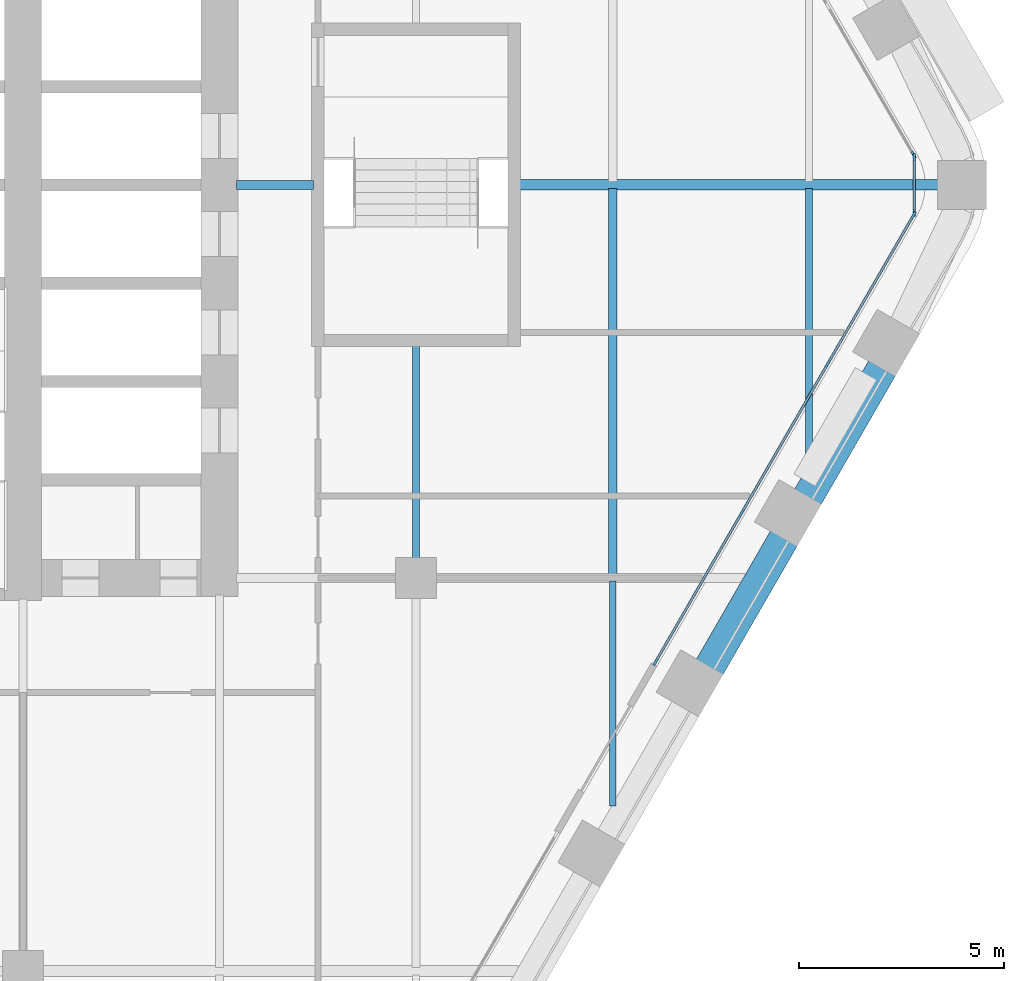
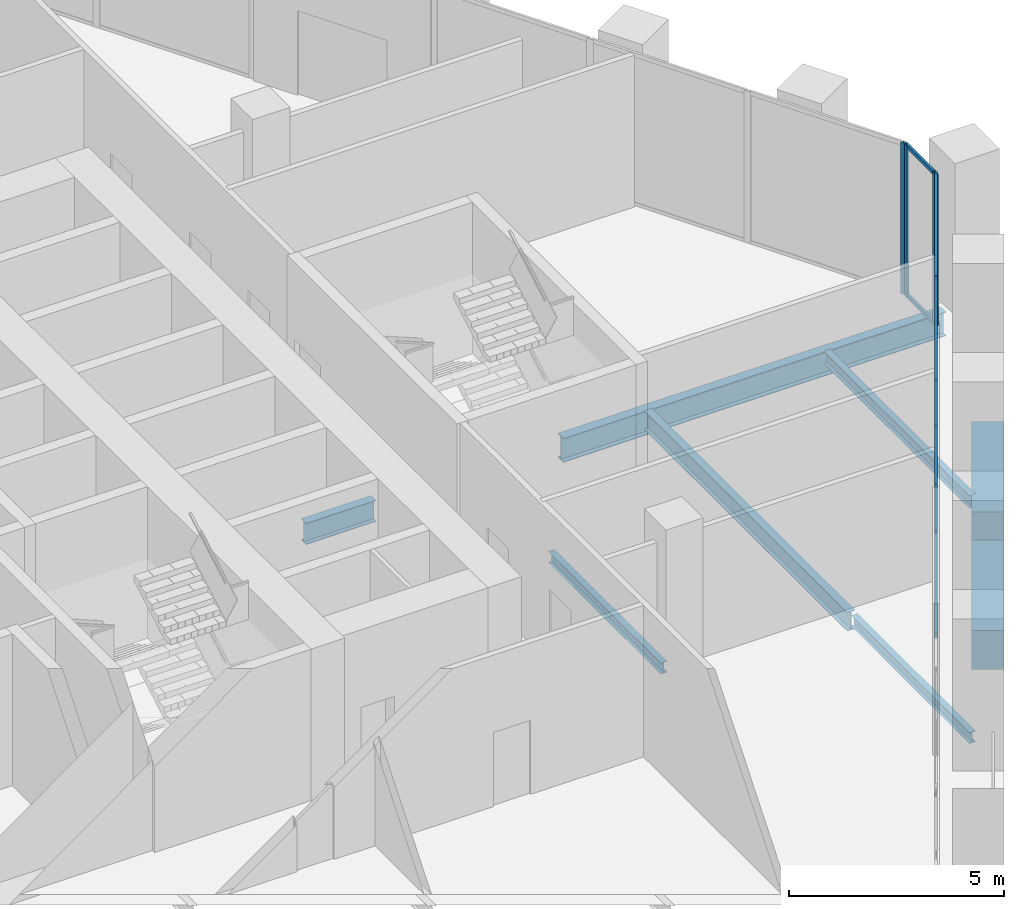
# One storey, part 5 of 22: 15 members, 8 beams, 3 elements without a shape of their own.
"""IFC4 building model written with IfcOpenShell, lengths in metres."""

import ifcopenshell
import ifcopenshell.guid

model = None  # the IFC model being written
_history = None  # IfcOwnerHistory: only IFC2X3 demands one
_inside = {}  # id of a spatial element -> (the spatial element, [elements in it])
_under = {}  # id of a project, library or spatial element -> (it, [spatial elements below it])
_declared = {}  # id of a project -> (the project, [libraries it declares])
_typed = {}  # id of a type object -> (the type object, [elements of that type])
_made_of = {}  # id of a material, layer set ... -> (it, [elements and type objects made of it])


def new_model(schema):
    """Start an empty IFC model of exactly this schema.

    Asked for "IFC4X3", IfcOpenShell would pick the latest addendum, in which some entities
    have other attributes; the version numbers below select the first issue.
    IFC2X3 requires an IfcOwnerHistory on every rooted entity: one is made here for all.
    """
    global model, _history
    if schema == "IFC4X3":
        model = ifcopenshell.file(schema_version=(4, 3, 0, 0))
    else:
        model = ifcopenshell.file(schema=schema)
    _inside.clear()
    _under.clear()
    _declared.clear()
    _typed.clear()
    _made_of.clear()
    _history = None
    if model.schema == "IFC2X3":
        org = make("IfcOrganization", Name="unknown")
        user = make(
            "IfcPersonAndOrganization",
            ThePerson=make("IfcPerson", FamilyName="unknown"),
            TheOrganization=org,
        )
        app = make(
            "IfcApplication",
            ApplicationDeveloper=org,
            Version="unknown",
            ApplicationFullName="unknown",
            ApplicationIdentifier="unknown",
        )
        _history = make(
            "IfcOwnerHistory",
            OwningUser=user,
            OwningApplication=app,
            ChangeAction="ADDED",
            CreationDate=0,
        )
    return model


def make(cls, **values):
    """One entity of the class cls with the attributes given. An attribute that is None is left unset."""
    return model.create_entity(
        cls, **{name: value for name, value in values.items() if value is not None}
    )


def rooted(cls, **values):
    """An entity with a GlobalId (a new one), such as an element, a storey or a relation."""
    return make(cls, GlobalId=ifcopenshell.guid.new(), OwnerHistory=_history, **values)


def si_unit(unit_type, name, prefix=None):
    """IfcSIUnit, for example si_unit("LENGTHUNIT", "METRE", prefix="MILLI")."""
    return make("IfcSIUnit", UnitType=unit_type, Prefix=prefix, Name=name)


def assignment(units):
    """IfcUnitAssignment: the units of a project."""
    return None if units is None else make("IfcUnitAssignment", Units=units)


def point(xyz):
    """IfcCartesianPoint."""
    return None if xyz is None else make("IfcCartesianPoint", Coordinates=xyz)


def direction(xyz):
    """IfcDirection."""
    return None if xyz is None else make("IfcDirection", DirectionRatios=xyz)


def frame(location, z_axis=None, x_axis=None):
    """IfcAxis2Placement3D, a coordinate frame: its origin and axes. An axis left out is left unset."""
    return make(
        "IfcAxis2Placement3D",
        Location=point(location),
        Axis=direction(z_axis),
        RefDirection=direction(x_axis),
    )


def frame_2d(location, x_axis=None):
    """IfcAxis2Placement2D, a coordinate frame in the plane: its origin and x axis."""
    return make(
        "IfcAxis2Placement2D", Location=point(location), RefDirection=direction(x_axis)
    )


def origin():
    """The frame at (0, 0, 0) with its axes left unset."""
    return frame((0.0, 0.0, 0.0))


def origin_2d():
    """The frame at (0, 0) in the plane with its x axis left unset."""
    return frame_2d((0.0, 0.0))


def place(relative_to, where):
    """IfcLocalPlacement: puts the frame where relative to a parent placement (None: the world)."""
    return make(
        "IfcLocalPlacement", PlacementRelTo=relative_to, RelativePlacement=where
    )


def context(
    kind, dimensions, precision=None, world=None, true_north=None, identifier=None
):
    """IfcGeometricRepresentationContext, for example the 3D "Model" context."""
    return make(
        "IfcGeometricRepresentationContext",
        ContextIdentifier=identifier,
        ContextType=kind,
        CoordinateSpaceDimension=dimensions,
        Precision=precision,
        WorldCoordinateSystem=world,
        TrueNorth=true_north,
    )


def subcontext(parent, identifier, kind, view, scale=None):
    """IfcGeometricRepresentationSubContext, for example "Body" below "Model"."""
    return make(
        "IfcGeometricRepresentationSubContext",
        ContextIdentifier=identifier,
        ContextType=kind,
        ParentContext=parent,
        TargetScale=scale,
        TargetView=view,
    )


def project(units=None, contexts=None):
    """IfcProject with its units and contexts."""
    return rooted(
        "IfcProject",
        Name="project",
        RepresentationContexts=contexts,
        UnitsInContext=assignment(units),
    )


def spatial(cls, under=None, at=None, **own):
    """A site, building, storey or space (cls), placed at a placement, below another one or the project."""
    s = rooted(cls, ObjectPlacement=at, **own)
    if under is not None:
        _under.setdefault(under.id(), (under, []))[1].append(s)
    return s


def profile(cls, at=None, kind="AREA", **sizes):
    """A parametric profile (cls). Its sizes go by their IFC names, for example OverallWidth=200.0."""
    return make(cls, ProfileType=kind, Position=at, **sizes)


def rectangle(**sizes):
    """IfcRectangleProfileDef."""
    return profile("IfcRectangleProfileDef", **sizes)


def i_section(**sizes):
    """IfcIShapeProfileDef."""
    return profile("IfcIShapeProfileDef", **sizes)


def extrude(swept, where, along, depth):
    """IfcExtrudedAreaSolid: the profile swept, set in the frame where, extruded along a direction by depth."""
    return make(
        "IfcExtrudedAreaSolid",
        SweptArea=swept,
        Position=where,
        ExtrudedDirection=direction(along),
        Depth=depth,
    )


def shape(context_of_items, identifier, shape_type, items):
    """IfcShapeRepresentation: the items that make up one representation, for example the "Body"."""
    return make(
        "IfcShapeRepresentation",
        ContextOfItems=context_of_items,
        RepresentationIdentifier=identifier,
        RepresentationType=shape_type,
        Items=items,
    )


def material(Name=None, Category=None):
    """IfcMaterial."""
    return make("IfcMaterial", Name=Name, Category=Category)


def material_profile(
    of_material, cross_section, Name=None, Category=None, Priority=None
):
    """IfcMaterialProfile: a cross section and its material."""
    return make(
        "IfcMaterialProfile",
        Name=Name,
        Material=of_material,
        Profile=cross_section,
        Priority=Priority,
        Category=Category,
    )


def profile_set(profiles, Name=None, composite=None):
    """IfcMaterialProfileSet."""
    return make(
        "IfcMaterialProfileSet",
        Name=Name,
        MaterialProfiles=profiles,
        CompositeProfile=composite,
    )


def made_of(thing, what):
    """Note that an element or type object is made of a material, layer set ...; save() writes the relation."""
    if what is not None:
        _made_of.setdefault(what.id(), (what, []))[1].append(thing)
    return thing


def type_object(cls, material=None, **own):
    """A type object (cls), such as IfcWallType, which elements share."""
    return made_of(rooted(cls, **own), material)


def element(
    cls,
    number,
    at=None,
    inside=None,
    cuts=None,
    type_object=None,
    material=None,
    context=None,
    identifier="Body",
    shape_type=None,
    held_by="IfcProductDefinitionShape",
    body=None,
    shapes=None,
    **own,
):
    """One element of the class cls, such as IfcWall. Its Tag is "e" and its number.

    at: its placement. inside: the storey or other place that contains it. cuts: it is an
    opening in that element (IfcRelVoidsElement). A single representation is given by context,
    identifier, shape_type and body (its items); several are given by shapes. held_by: the class
    of the entity that holds the representations. save() writes the other relations.
    """
    e = rooted(cls, Tag="e%d" % number, ObjectPlacement=at, **own)
    if body is not None:
        shapes = [shape(context, identifier, shape_type, body)]
    if shapes is not None:
        e.Representation = make(held_by, Representations=shapes)
    if inside is not None:
        _inside.setdefault(inside.id(), (inside, []))[1].append(e)
    if cuts is not None:
        rooted(
            "IfcRelVoidsElement", RelatingBuildingElement=cuts, RelatedOpeningElement=e
        )
    if type_object is not None:
        _typed.setdefault(type_object.id(), (type_object, []))[1].append(e)
    return made_of(e, material)


def aggregate(whole, parts):
    """IfcRelAggregates: a whole, such as a stair, and the parts it consists of."""
    return rooted("IfcRelAggregates", RelatingObject=whole, RelatedObjects=parts)


def save(model, path):
    """Write the relations noted so far, then the file.

    IfcRelAggregates (storeys below a building ...), IfcRelContainedInSpatialStructure (elements
    in a storey), IfcRelDefinesByType, IfcRelAssociatesMaterial and IfcRelDeclares: one each for
    every whole, place, type object, material and project.
    """
    for whole, parts in _under.values():
        aggregate(whole, parts)
    for where, things in _inside.values():
        rooted(
            "IfcRelContainedInSpatialStructure",
            RelatedElements=things,
            RelatingStructure=where,
        )
    for kind, things in _typed.values():
        rooted("IfcRelDefinesByType", RelatedObjects=things, RelatingType=kind)
    for what, things in _made_of.values():
        rooted("IfcRelAssociatesMaterial", RelatedObjects=things, RelatingMaterial=what)
    for by, libraries in _declared.values():
        rooted("IfcRelDeclares", RelatingContext=by, RelatedDefinitions=libraries)
    model.write(path)


model = new_model("IFC4")

# Units and contexts
model_context = context("Model", 3, precision=1e-05, world=origin(), true_north=direction((0.0, 1.0)))
body_context = subcontext(model_context, "Body", "Model", "MODEL_VIEW")
ifc_project = project(units=[si_unit("LENGTHUNIT", "METRE"), si_unit("AREAUNIT", "SQUARE_METRE"), si_unit("VOLUMEUNIT", "CUBIC_METRE"), si_unit("PLANEANGLEUNIT", "RADIAN"), si_unit("MASSUNIT", "GRAM", prefix="KILO")], contexts=[model_context])

# Site, building, storey
site_placement = place(None, origin())
site = spatial("IfcSite", under=ifc_project, at=site_placement, CompositionType="ELEMENT")
building_placement = place(site_placement, origin())
building = spatial("IfcBuilding", under=site, at=building_placement, Name="Kolab Exchange Tower", CompositionType="ELEMENT")
storey_placement = place(building_placement, frame((0.0, 0.0, 113.89990234375)))
storey = spatial("IfcBuildingStorey", under=building, at=storey_placement, Name="L22", CompositionType="ELEMENT", Elevation=113.89990234375)

# Beams
ifc_material_1 = material(Name="Steel S355", Category="steel")
ifc_material_profile_1 = material_profile(ifc_material_1, i_section(OverallWidth=0.1650390625, OverallDepth=0.31005859375, WebThickness=0.005859375, FlangeThickness=0.009765625, at=origin_2d()), Name="W310X39")
ifc_profile_set_1 = profile_set([ifc_material_profile_1], Name="Steel S355")
beam_type_1 = type_object("IfcBeamType", Name="FLOOR BEAM W310X39", PredefinedType="BEAM", material=ifc_profile_set_1)
beam_1_placement = place(storey_placement, frame((19.199951171875, -9.139892578125, -0.35498046875), z_axis=(0.0, 1.0, 0.0), x_axis=(-1.0, 0.0, 0.0)))
element("IfcBeam", 1, at=beam_1_placement, inside=storey, type_object=beam_type_1, Name="beam/L22/fr/042", PredefinedType="BEAM", context=body_context, shape_type="SweptSolid", body=[
    extrude(i_section(OverallWidth=0.1650390625, OverallDepth=0.31005859375, WebThickness=0.005859375, FlangeThickness=0.009765625, at=origin_2d()), origin(), (0.0, 0.0, 1.0), 5.22998046875),
])
beam_2_placement = place(storey_placement, frame((24.0, -15.167724609375, -0.35498046875), z_axis=(0.0, 1.0, 0.0), x_axis=(-1.0, 0.0, 0.0)))
element("IfcBeam", 2, at=beam_2_placement, inside=storey, type_object=beam_type_1, Name="beam/L22/fr/046", PredefinedType="BEAM", context=body_context, shape_type="SweptSolid", body=[
    extrude(i_section(OverallWidth=0.1650390625, OverallDepth=0.31005859375, WebThickness=0.005859375, FlangeThickness=0.009765625, at=origin_2d()), origin(), (0.0, 0.0, 1.0), 5.49365234375),
])
ifc_material_profile_2 = material_profile(ifc_material_1, i_section(OverallWidth=0.1708984375, OverallDepth=0.35498046875, WebThickness=0.007080078125, FlangeThickness=0.01171875, at=origin_2d()), Name="W360X51")
ifc_profile_set_2 = profile_set([ifc_material_profile_2], Name="Steel S355")
beam_type_2 = type_object("IfcBeamType", Name="FLOOR BEAM W360X51", PredefinedType="BEAM", material=ifc_profile_set_2)
beam_3_placement = place(storey_placement, frame((28.800048828125, -6.853759765625, -0.37744140625), z_axis=(0.0, 1.0, 0.0), x_axis=(-1.0, 0.0, 0.0)))
element("IfcBeam", 3, at=beam_3_placement, inside=storey, type_object=beam_type_2, Name="beam/L22/fr/050", PredefinedType="BEAM", context=body_context, shape_type="SweptSolid", body=[
    extrude(i_section(OverallWidth=0.1708984375, OverallDepth=0.35498046875, WebThickness=0.007080078125, FlangeThickness=0.01171875, at=origin_2d()), origin(), (0.0, 0.0, 1.0), 6.766845703125),
])
ifc_material_profile_3 = material_profile(ifc_material_1, i_section(OverallWidth=0.208984375, OverallDepth=0.532958984375, WebThickness=0.01025390625, FlangeThickness=0.015625, at=origin_2d()), Name="W530X92")
ifc_profile_set_3 = profile_set([ifc_material_profile_3], Name="Steel S355")
beam_type_3 = type_object("IfcBeamType", Name="FLOOR BEAM W530X92", PredefinedType="BEAM", material=ifc_profile_set_3)
beam_4_placement = place(storey_placement, frame((24.0, -9.52587890625, -0.46630859375), z_axis=(0.0, 1.0, 0.0), x_axis=(-1.0, 0.0, 0.0)))
element("IfcBeam", 4, at=beam_4_placement, inside=storey, type_object=beam_type_3, Name="beam/L22/fr/047", PredefinedType="BEAM", context=body_context, shape_type="SweptSolid", body=[
    extrude(i_section(OverallWidth=0.208984375, OverallDepth=0.532958984375, WebThickness=0.01025390625, FlangeThickness=0.015625, at=origin_2d()), origin(), (0.0, 0.0, 1.0), 9.43896484375),
])
ifc_material_profile_4 = material_profile(ifc_material_1, i_section(OverallWidth=0.22802734375, OverallDepth=0.60791015625, WebThickness=0.01123046875, FlangeThickness=0.017333984375, at=origin_2d()), Name="W610X113")
ifc_profile_set_4 = profile_set([ifc_material_profile_4], Name="Steel S355")
beam_type_4 = type_object("IfcBeamType", Name="FLOOR GIRDER W610X113", PredefinedType="BEAM", material=ifc_profile_set_4)
beam_5_placement = place(storey_placement, frame((14.81005859375, 0.0, -0.50390625), z_axis=(1.0, 0.0, 0.0), x_axis=(0.0, 1.0, 0.0)))
element("IfcBeam", 5, at=beam_5_placement, inside=storey, type_object=beam_type_4, Name="beam/L22/gd/015", PredefinedType="BEAM", context=body_context, shape_type="SweptSolid", body=[
    extrude(i_section(OverallWidth=0.22802734375, OverallDepth=0.60791015625, WebThickness=0.01123046875, FlangeThickness=0.017333984375, at=origin_2d()), origin(), (0.0, 0.0, 1.0), 1.8798828125),
])
ifc_material_profile_5 = material_profile(ifc_material_1, i_section(OverallWidth=0.25390625, OverallDepth=0.68408203125, WebThickness=0.012451171875, FlangeThickness=0.018798828125, at=origin_2d()), Name="W690X140")
ifc_profile_set_5 = profile_set([ifc_material_profile_5], Name="Steel S355")
beam_type_5 = type_object("IfcBeamType", Name="FLOOR GIRDER W690X140", PredefinedType="BEAM", material=ifc_profile_set_5)
beam_6_placement = place(storey_placement, frame((21.7099609375, 0.0, -0.5419921875), z_axis=(1.0, 0.0, 0.0), x_axis=(0.0, 1.0, 0.0)))
element("IfcBeam", 6, at=beam_6_placement, inside=storey, type_object=beam_type_5, Name="beam/L22/gd/019", PredefinedType="BEAM", context=body_context, shape_type="SweptSolid", body=[
    extrude(i_section(OverallWidth=0.25390625, OverallDepth=0.68408203125, WebThickness=0.012451171875, FlangeThickness=0.018798828125, at=origin_2d()), origin(), (0.0, 0.0, 1.0), 10.265869140625),
])
ifc_material_2 = material(Name="Concrete C70/85", Category="concrete")
ifc_material_profile_6 = material_profile(ifc_material_2, rectangle(XDim=0.75, YDim=1.10009765625, at=origin_2d()), Name="RC750X1100")
ifc_profile_set_6 = profile_set([ifc_material_profile_6], Name="Concrete C70/85")
beam_type_6 = type_object("IfcBeamType", Name="SPANDREL BEAM 750X1100 C70/85", PredefinedType="BEAM", material=ifc_profile_set_6)
for number, where, z_axis, x_axis, name in (
    (7, (30.59521484375, -4.454345703125, -0.75), (-0.500013413428, -0.866017659399, 0.0), (0.866017659399, -0.500013413428, 0.0), "beam/L22/sp/F3-02"),
    (8, (28.1953125, -8.611328125, -0.75), (-0.500013413428, -0.866017659399, 0.0), (0.866017659399, -0.500013413428, 0.0), "beam/L22/sp/F3-03"),
):
    element("IfcBeam", number, at=place(storey_placement, frame(where, z_axis=z_axis, x_axis=x_axis)), inside=storey, type_object=beam_type_6, Name=name, PredefinedType="BEAM", context=body_context, shape_type="SweptSolid", body=[
        extrude(rectangle(XDim=0.75, YDim=1.10009765625, at=origin_2d()), origin(), (0.0, 0.0, 1.0), 3.68017578125),
    ])

# Curtain wall, member
ifc_material_3 = material(Name="Aluminium EN AW-6063 T6", Category="aluminium")
curtain_wall_type = type_object("IfcCurtainWallType", Name="UNITISED LOWER MID ZONE CURTAIN WALL", PredefinedType="NOTDEFINED", material=ifc_material_3)
curtain_wall_1_placement = place(storey_placement, origin())
curtain_wall_1 = element("IfcCurtainWall", 9, at=curtain_wall_1_placement, inside=storey, type_object=curtain_wall_type, Name="cw/L22/F2-2", PredefinedType="NOTDEFINED")
ifc_material_profile_7 = material_profile(ifc_material_3, rectangle(XDim=0.06005859375, YDim=0.179931640625, at=origin_2d()), Name="RECT 60X180")
ifc_profile_set_7 = profile_set([ifc_material_profile_7], Name="Aluminium EN AW-6063 T6")
member_type_1 = type_object("IfcMemberType", Name="UNITISED LOWER MID ZONE MULLION 60 X 180", PredefinedType="MULLION", material=ifc_profile_set_7)
member_1_placement = place(storey_placement, frame((31.3505859375, 0.736083984375, 0.0), z_axis=(0.0, 0.0, 1.0), x_axis=(0.866025427826, 0.499999958358, 0.0)))
member_1 = element("IfcMember", 10, at=member_1_placement, type_object=member_type_1, Name="CW2 mullion 4", PredefinedType="MULLION", context=body_context, shape_type="SweptSolid", body=[
    extrude(rectangle(XDim=0.06005859375, YDim=0.179931640625, at=origin_2d()), origin(), (0.0, 0.0, 1.0), 4.300048828125),
])
aggregate(curtain_wall_1, [member_1])

# Curtain wall, members
curtain_wall_2_placement = place(storey_placement, origin())
curtain_wall_2 = element("IfcCurtainWall", 11, at=curtain_wall_2_placement, inside=storey, type_object=curtain_wall_type, Name="cw/L22/F3-1", PredefinedType="NOTDEFINED")
member_2_placement = place(storey_placement, frame((31.3505859375, -0.736083984375, 0.0), z_axis=(0.0, 0.0, 1.0), x_axis=(0.866025427826, -0.499999958358, 0.0)))
member_2 = element("IfcMember", 12, at=member_2_placement, type_object=member_type_1, Name="CW2 mullion 1", PredefinedType="MULLION", context=body_context, shape_type="SweptSolid", body=[
    extrude(rectangle(XDim=0.06005859375, YDim=0.179931640625, at=origin_2d()), origin(), (0.0, 0.0, 1.0), 4.300048828125),
])
member_3_placement = place(storey_placement, frame((29.25439453125, -4.366943359375, 0.0), z_axis=(0.0, 0.0, 1.0), x_axis=(0.866025427826, -0.499999958358, 0.0)))
member_3 = element("IfcMember", 13, at=member_3_placement, type_object=member_type_1, Name="CW2 mullion 2", PredefinedType="MULLION", context=body_context, shape_type="SweptSolid", body=[
    extrude(rectangle(XDim=0.06005859375, YDim=0.179931640625, at=origin_2d()), origin(), (0.0, 0.0, 1.0), 4.300048828125),
])
member_4_placement = place(storey_placement, frame((27.14306640625, -8.02392578125, 0.0), z_axis=(0.0, 0.0, 1.0), x_axis=(0.866025427826, -0.499999958358, 0.0)))
member_4 = element("IfcMember", 14, at=member_4_placement, type_object=member_type_1, Name="CW2 mullion 3", PredefinedType="MULLION", context=body_context, shape_type="SweptSolid", body=[
    extrude(rectangle(XDim=0.06005859375, YDim=0.179931640625, at=origin_2d()), origin(), (0.0, 0.0, 1.0), 4.300048828125),
])
member_5_placement = place(storey_placement, frame((25.046630859375, -11.65478515625, 0.0), z_axis=(0.0, 0.0, 1.0), x_axis=(0.866025427826, -0.499999958358, 0.0)))
member_5 = element("IfcMember", 15, at=member_5_placement, type_object=member_type_1, Name="CW2 mullion 4", PredefinedType="MULLION", context=body_context, shape_type="SweptSolid", body=[
    extrude(rectangle(XDim=0.06005859375, YDim=0.179931640625, at=origin_2d()), origin(), (0.0, 0.0, 1.0), 4.300048828125),
])

curtain_wall_3_placement = place(storey_placement, origin())
curtain_wall_3 = element("IfcCurtainWall", 16, at=curtain_wall_3_placement, inside=storey, type_object=curtain_wall_type, Name="cw/L22/F2F3-corner", PredefinedType="NOTDEFINED")
member_6_placement = place(storey_placement, frame((31.36572265625, 0.679931640625, 0.0), z_axis=(0.0, 0.0, 1.0), x_axis=(1.0, 0.0, 0.0)))
member_6 = element("IfcMember", 17, at=member_6_placement, type_object=member_type_1, Name="CW2 mullion 1", PredefinedType="MULLION", context=body_context, shape_type="SweptSolid", body=[
    extrude(rectangle(XDim=0.06005859375, YDim=0.179931640625, at=origin_2d()), origin(), (0.0, 0.0, 1.0), 4.300048828125),
])
member_7_placement = place(storey_placement, frame((31.36572265625, -0.679931640625, 0.0), z_axis=(0.0, 0.0, 1.0), x_axis=(1.0, 0.0, 0.0)))
member_7 = element("IfcMember", 18, at=member_7_placement, type_object=member_type_1, Name="CW2 mullion 2", PredefinedType="MULLION", context=body_context, shape_type="SweptSolid", body=[
    extrude(rectangle(XDim=0.06005859375, YDim=0.179931640625, at=origin_2d()), origin(), (0.0, 0.0, 1.0), 4.300048828125),
])

# Member
ifc_material_profile_8 = material_profile(ifc_material_3, rectangle(XDim=0.06005859375, YDim=0.1201171875, at=origin_2d()), Name="RECT 60X120")
ifc_profile_set_8 = profile_set([ifc_material_profile_8], Name="Aluminium EN AW-6063 T6")
member_type_2 = type_object("IfcMemberType", Name="UNITISED LOWER MID ZONE TRANSOM 60 X 120", PredefinedType="USERDEFINED", material=ifc_profile_set_8)
member_8_placement = place(storey_placement, frame((31.335693359375, -0.761962890625, 0.030029296875), z_axis=(-0.500027577057, -0.866009481578, 0.0), x_axis=(0.866009481578, -0.500027577057, 0.0)))
member_8 = element("IfcMember", 19, at=member_8_placement, type_object=member_type_2, Name="CW2 transom 1.1", ObjectType="TRANSOM", PredefinedType="USERDEFINED", context=body_context, shape_type="SweptSolid", body=[
    extrude(rectangle(XDim=0.06005859375, YDim=0.1201171875, at=origin_2d()), origin(), (0.0, 0.0, 1.0), 4.132568359375),
])

member_9_placement = place(storey_placement, frame((31.335693359375, -0.761962890625, 4.27001953125), z_axis=(-0.500027577057, -0.866009481578, 0.0), x_axis=(0.866009481578, -0.500027577057, 0.0)))
member_9 = element("IfcMember", 20, at=member_9_placement, type_object=member_type_2, Name="CW2 transom 1.2", ObjectType="TRANSOM", PredefinedType="USERDEFINED", context=body_context, shape_type="SweptSolid", body=[
    extrude(rectangle(XDim=0.06005859375, YDim=0.1201171875, at=origin_2d()), origin(), (0.0, 0.0, 1.0), 4.132568359375),
])

member_10_placement = place(storey_placement, frame((29.2392578125, -4.392822265625, 0.030029296875), z_axis=(-0.49999322259, -0.866029316688, 0.0), x_axis=(0.866029316688, -0.49999322259, 0.0)))
member_10 = element("IfcMember", 21, at=member_10_placement, type_object=member_type_2, Name="CW2 transom 2.1", ObjectType="TRANSOM", PredefinedType="USERDEFINED", context=body_context, shape_type="SweptSolid", body=[
    extrude(rectangle(XDim=0.06005859375, YDim=0.1201171875, at=origin_2d()), origin(), (0.0, 0.0, 1.0), 4.16259765625),
])

member_11_placement = place(storey_placement, frame((29.2392578125, -4.392822265625, 4.27001953125), z_axis=(-0.49999322259, -0.866029316688, 0.0), x_axis=(0.866029316688, -0.49999322259, 0.0)))
member_11 = element("IfcMember", 22, at=member_11_placement, type_object=member_type_2, Name="CW2 transom 2.2", ObjectType="TRANSOM", PredefinedType="USERDEFINED", context=body_context, shape_type="SweptSolid", body=[
    extrude(rectangle(XDim=0.06005859375, YDim=0.1201171875, at=origin_2d()), origin(), (0.0, 0.0, 1.0), 4.16259765625),
])

member_12_placement = place(storey_placement, frame((27.1279296875, -8.0498046875, 0.030029296875), z_axis=(-0.499957688808, -0.866049830784, 0.0), x_axis=(0.866049830784, -0.499957688808, 0.0)))
member_12 = element("IfcMember", 23, at=member_12_placement, type_object=member_type_2, Name="CW2 transom 3.1", ObjectType="TRANSOM", PredefinedType="USERDEFINED", context=body_context, shape_type="SweptSolid", body=[
    extrude(rectangle(XDim=0.06005859375, YDim=0.1201171875, at=origin_2d()), origin(), (0.0, 0.0, 1.0), 4.132568359375),
])

member_13_placement = place(storey_placement, frame((27.1279296875, -8.0498046875, 4.27001953125), z_axis=(-0.499957688808, -0.866049830784, 0.0), x_axis=(0.866049830784, -0.499957688808, 0.0)))
member_13 = element("IfcMember", 24, at=member_13_placement, type_object=member_type_2, Name="CW2 transom 3.2", ObjectType="TRANSOM", PredefinedType="USERDEFINED", context=body_context, shape_type="SweptSolid", body=[
    extrude(rectangle(XDim=0.06005859375, YDim=0.1201171875, at=origin_2d()), origin(), (0.0, 0.0, 1.0), 4.132568359375),
])

aggregate(curtain_wall_2, [member_2, member_3, member_4, member_5, member_8, member_9, member_10, member_11, member_12, member_13])

member_14_placement = place(storey_placement, frame((31.36572265625, 0.64990234375, 0.030029296875), z_axis=(0.0, -1.0, 0.0), x_axis=(1.0, 0.0, 0.0)))
member_14 = element("IfcMember", 25, at=member_14_placement, type_object=member_type_2, Name="CW2 transom 1.1", ObjectType="TRANSOM", PredefinedType="USERDEFINED", context=body_context, shape_type="SweptSolid", body=[
    extrude(rectangle(XDim=0.06005859375, YDim=0.1201171875, at=origin_2d()), origin(), (0.0, 0.0, 1.0), 1.2998046875),
])

member_15_placement = place(storey_placement, frame((31.36572265625, 0.64990234375, 4.27001953125), z_axis=(0.0, -1.0, 0.0), x_axis=(1.0, 0.0, 0.0)))
member_15 = element("IfcMember", 26, at=member_15_placement, type_object=member_type_2, Name="CW2 transom 1.2", ObjectType="TRANSOM", PredefinedType="USERDEFINED", context=body_context, shape_type="SweptSolid", body=[
    extrude(rectangle(XDim=0.06005859375, YDim=0.1201171875, at=origin_2d()), origin(), (0.0, 0.0, 1.0), 1.2998046875),
])

aggregate(curtain_wall_3, [member_6, member_7, member_14, member_15])

save(model, "model.ifc")
